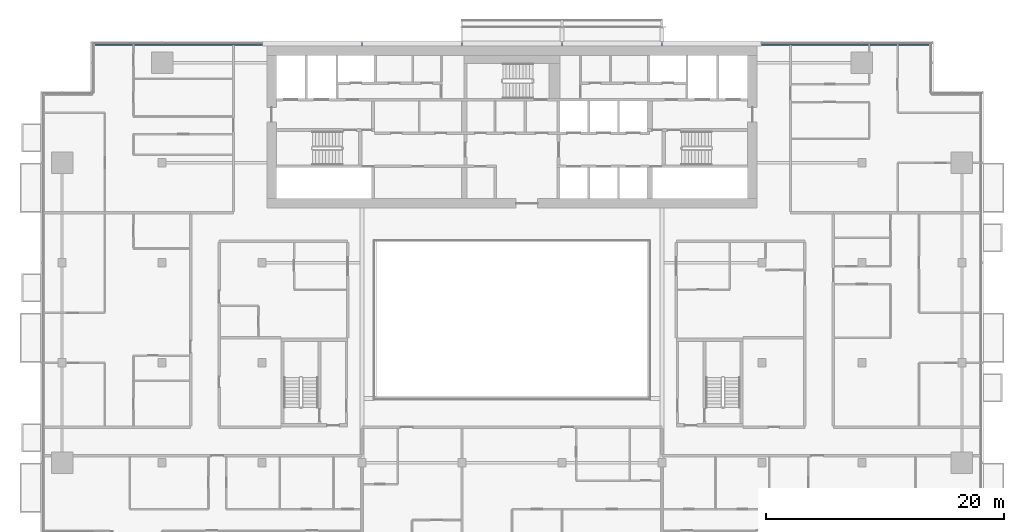
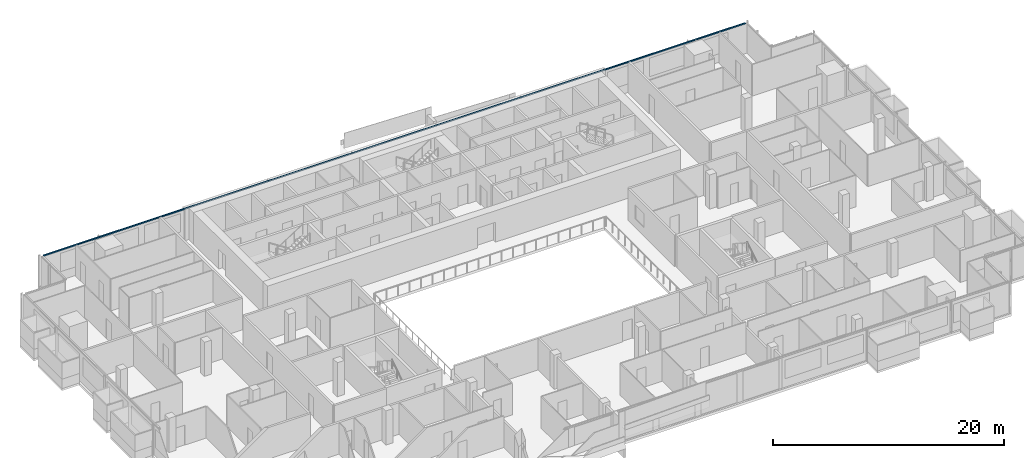
# One storey, part 9 of 28: 1 member, 1 element without a shape of its own.
"""IFC4 building model written with IfcOpenShell, lengths in metres."""

from ifc_helpers import new_model, si_unit, direction, frame, origin, origin_2d, place, context, subcontext, project, spatial, rectangle, extrude, material, material_profile, profile_set, type_object, element, aggregate, save


model = new_model("IFC4")

# Units and contexts
model_context = context("Model", 3, precision=1e-05, world=origin(), true_north=direction((0.0, 1.0)))
body_context = subcontext(model_context, "Body", "Model", "MODEL_VIEW")
ifc_project = project(units=[si_unit("LENGTHUNIT", "METRE"), si_unit("AREAUNIT", "SQUARE_METRE"), si_unit("VOLUMEUNIT", "CUBIC_METRE"), si_unit("PLANEANGLEUNIT", "RADIAN"), si_unit("MASSUNIT", "GRAM", prefix="KILO")], contexts=[model_context])

# Site, building, storey
site_placement = place(None, origin())
site = spatial("IfcSite", under=ifc_project, at=site_placement, CompositionType="ELEMENT")
building_placement = place(site_placement, origin())
building = spatial("IfcBuilding", under=site, at=building_placement, Name="Saffron Gate Tower", CompositionType="ELEMENT")
storey_placement = place(building_placement, frame((0.0, 0.0, 151.050048828125)))
storey = spatial("IfcBuildingStorey", under=building, at=storey_placement, Name="L36", CompositionType="ELEMENT", Elevation=151.050048828125)

# Curtain wall, member
ifc_material = material(Name="Aluminium, bronze anodised", Category="aluminium")
curtain_wall_type = type_object("IfcCurtainWallType", Name="CWS3 curtain wall rear facade", PredefinedType="NOTDEFINED", material=ifc_material)
curtain_wall_placement = place(storey_placement, origin())
curtain_wall = element("IfcCurtainWall", 1, at=curtain_wall_placement, inside=storey, type_object=curtain_wall_type, Name="CWS3 run 7", PredefinedType="NOTDEFINED")
ifc_material_profile = material_profile(ifc_material, rectangle(XDim=0.1201171875, YDim=0.1201171875, at=origin_2d()))
ifc_profile_set = profile_set([ifc_material_profile], Name="Aluminium, bronze anodised")
member_type = type_object("IfcMemberType", Name="CWS3 head transom", PredefinedType="USERDEFINED", material=ifc_profile_set)
member_placement = place(storey_placement, frame((122.632080078125, 75.35205078125, 3.260009765625), z_axis=(-1.0, 0.0, 0.0), x_axis=(0.0, -1.0, 0.0)))
member = element("IfcMember", 2, at=member_placement, type_object=member_type, Name="CWS3 head transom", ObjectType="TRANSOM", PredefinedType="USERDEFINED", context=body_context, shape_type="SweptSolid", body=[
    extrude(rectangle(XDim=0.1201171875, YDim=0.1201171875, at=origin_2d()), origin(), (0.0, 0.0, 1.0), 70.06396484375),
])
aggregate(curtain_wall, [member])

save(model, "model.ifc")
